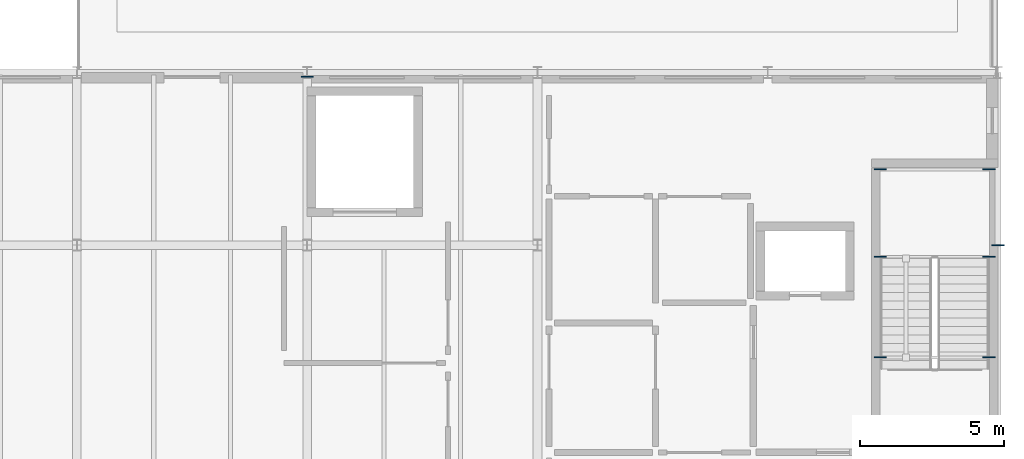
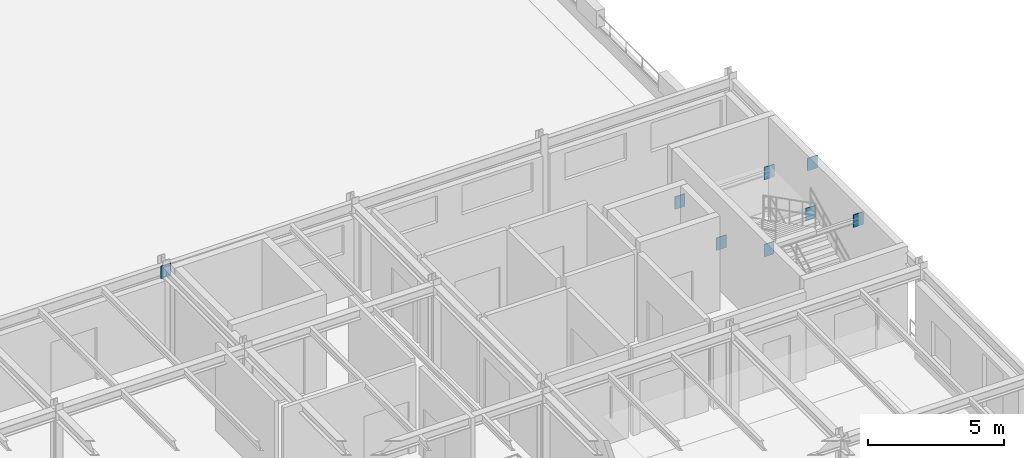
# One storey, part 37 of 67: 8 plates.
"""IFC4 building model written with IfcOpenShell, lengths in metres."""

from ifc_helpers import new_model, si_unit, direction, frame, origin, origin_2d, place, context, subcontext, project, spatial, rectangle, extrude, material, layer, layer_set, type_object, element, save


model = new_model("IFC4")

# Units and contexts
model_context = context("Model", 3, precision=1e-05, world=origin(), true_north=direction((0.0, 1.0)))
body_context = subcontext(model_context, "Body", "Model", "MODEL_VIEW")
ifc_project = project(units=[si_unit("LENGTHUNIT", "METRE"), si_unit("AREAUNIT", "SQUARE_METRE"), si_unit("VOLUMEUNIT", "CUBIC_METRE"), si_unit("PLANEANGLEUNIT", "RADIAN"), si_unit("MASSUNIT", "GRAM", prefix="KILO")], contexts=[model_context])

# Site, building, storey
site_placement = place(None, origin())
site = spatial("IfcSite", under=ifc_project, at=site_placement, CompositionType="ELEMENT")
building_placement = place(site_placement, origin())
building = spatial("IfcBuilding", under=site, at=building_placement, Name="Sundkrona Museum", CompositionType="ELEMENT")
storey_placement = place(building_placement, frame((0.0, 0.0, 21.800048828125)))
storey = spatial("IfcBuildingStorey", under=building, at=storey_placement, Name="L04", CompositionType="ELEMENT", Elevation=21.800048828125)

# Plates
ifc_material = material(Name="Steel S355J2", Category="steel")
ifc_layer = layer(ifc_material, 0.034912109375)
ifc_layer_set = layer_set([ifc_layer], Name="Steel S355J2")
plate_type = type_object("IfcPlateType", Name="EP-1", PredefinedType="USERDEFINED", material=ifc_layer_set)
for number, where, z_axis, x_axis, name in (
    (1, (168.0, 40.0, 3.389892578125), (0.0, 0.0, 1.0), (1.0, 0.0, 0.0), "Core Wall Cast-In Embed Plate BM-L04-Y-1772-2"),
    (2, (163.909912109375, 39.598388671875, 1.5), (0.0, 0.0, 1.0), (1.0, 0.0, 0.0), "Core Wall Cast-In Embed Plate BM-STLD-ST-1-L04-1A-1"),
    (3, (167.68994140625, 39.598388671875, 1.5), (0.0, 0.0, 1.0), (1.0, 0.0, 0.0), "Core Wall Cast-In Embed Plate BM-STLD-ST-1-L04-1A-2"),
    (4, (163.909912109375, 42.63671875, 1.5), (0.0, 0.0, 1.0), (1.0, 0.0, 0.0), "Core Wall Cast-In Embed Plate BM-STLD-ST-1-L04-1B-1"),
    (5, (167.68994140625, 42.63671875, 1.5), (0.0, 0.0, 1.0), (1.0, 0.0, 0.0), "Core Wall Cast-In Embed Plate BM-STLD-ST-1-L04-1B-2"),
    (6, (163.909912109375, 36.10009765625, 3.33349609375), (0.0, 0.0, 1.0), (1.0, 0.0, 0.0), "Core Wall Cast-In Embed Plate BM-STHD-ST-1-L04-2-1"),
    (7, (167.68994140625, 36.10009765625, 3.33349609375), (0.0, 0.0, 1.0), (1.0, 0.0, 0.0), "Core Wall Cast-In Embed Plate BM-STHD-ST-1-L04-2-2"),
    (8, (144.0, 45.85009765625, 3.419921875), (0.0, 0.0, 1.0), (1.0, 0.0, 0.0), "Structural Wall Cast-In Embed Plate BM-L04-Y-1757-2"),
):
    element("IfcPlate", number, at=place(storey_placement, frame(where, z_axis=z_axis, x_axis=x_axis)), inside=storey, type_object=plate_type, Name=name, ObjectType="GUSSET PLATE", PredefinedType="USERDEFINED", context=body_context, shape_type="SweptSolid", body=[
        extrude(rectangle(XDim=0.419921875, YDim=0.034912109375, at=origin_2d()), origin(), (0.0, 0.0, 1.0), 0.56005859375),
    ])

save(model, "model.ifc")
